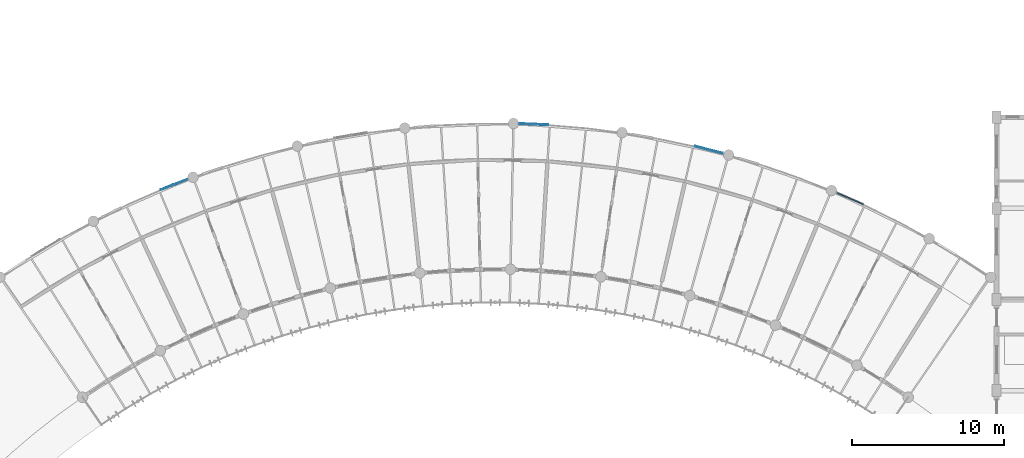
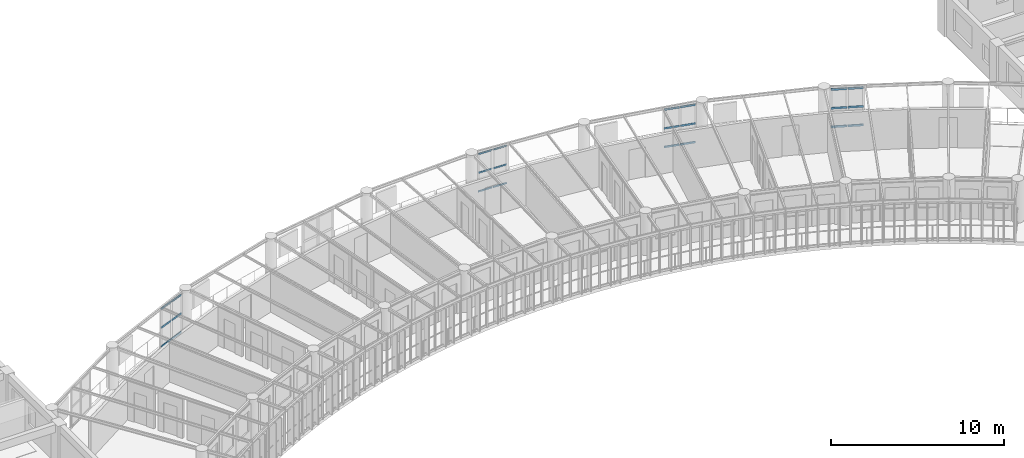
# One storey, part 73 of 137: 24 members, 4 elements without a shape of their own.
"""IFC4 building model written with IfcOpenShell, lengths in metres."""

from ifc_helpers import new_model, si_unit, direction, frame, origin, origin_2d, place, context, subcontext, project, spatial, rectangle, extrude, material, layer, layer_set, material_profile, profile_set, type_object, element, aggregate, save


model = new_model("IFC4")

# Units and contexts
model_context = context("Model", 3, precision=1e-05, world=origin(), true_north=direction((0.0, 1.0)))
body_context = subcontext(model_context, "Body", "Model", "MODEL_VIEW")
ifc_project = project(units=[si_unit("LENGTHUNIT", "METRE"), si_unit("AREAUNIT", "SQUARE_METRE"), si_unit("VOLUMEUNIT", "CUBIC_METRE"), si_unit("PLANEANGLEUNIT", "RADIAN"), si_unit("MASSUNIT", "GRAM", prefix="KILO"), si_unit("POWERUNIT", "WATT"), si_unit("THERMODYNAMICTEMPERATUREUNIT", "KELVIN")], contexts=[model_context])

# Site, building, storey
site_placement = place(None, origin())
site = spatial("IfcSite", under=ifc_project, at=site_placement, CompositionType="ELEMENT")
building_placement = place(site_placement, origin())
building = spatial("IfcBuilding", under=site, at=building_placement, Name="Ruvembo Vaulted Housing Court", CompositionType="ELEMENT")
storey_placement = place(building_placement, frame((0.0, 0.0, 4.5)))
storey = spatial("IfcBuildingStorey", under=building, at=storey_placement, Name="L01", CompositionType="ELEMENT", Elevation=4.5)

# Curtain wall, members
ifc_material_1 = material(Name="Anodised Aluminium and Solar-Control Glass", Category="aluminium")
ifc_layer_1 = layer(ifc_material_1, 0.1201171875, Name="Anodised Aluminium and Solar-Control Glass")
ifc_layer_set_1 = layer_set([ifc_layer_1], Name="Anodised Aluminium and Solar-Control Glass")
curtain_wall_type_1 = type_object("IfcCurtainWallType", Name="CW-SCOOP-GAL", PredefinedType="NOTDEFINED", material=ifc_layer_set_1)
curtain_wall_1_placement = place(storey_placement, origin())
curtain_wall_1 = element("IfcCurtainWall", 1, at=curtain_wall_1_placement, inside=storey, type_object=curtain_wall_type_1, Name="L01 Curtain Wall CW-L01-0060", PredefinedType="NOTDEFINED")
ifc_material_2 = material(Name="Anodised Aluminium 6063-T6", Category="aluminium")
ifc_material_profile_1 = material_profile(ifc_material_2, rectangle(XDim=0.06005859375, YDim=0.1201171875, at=origin_2d()), Name="ALU 60x120")
ifc_profile_set_1 = profile_set([ifc_material_profile_1], Name="Anodised Aluminium 6063-T6")
member_type_1 = type_object("IfcMemberType", Name="CW-TRANSOM-65x120", PredefinedType="USERDEFINED", material=ifc_profile_set_1)
member_1_placement = place(storey_placement, frame((94.97216796875, 103.218994140625, 0.030029296875), z_axis=(0.930948034187, 0.365151691277, 0.0), x_axis=(-0.365151691277, 0.930948034187, 0.0)))
member_1 = element("IfcMember", 2, at=member_1_placement, type_object=member_type_1, Name="CW6 transom 1.1", ObjectType="TRANSOM", PredefinedType="USERDEFINED", context=body_context, shape_type="SweptSolid", body=[
    extrude(rectangle(XDim=0.06005859375, YDim=0.1201171875, at=origin_2d()), origin(), (0.0, 0.0, 1.0), 0.9052734375),
])
member_2_placement = place(storey_placement, frame((94.97216796875, 103.218994140625, 1.34912109375), z_axis=(0.930948034187, 0.365151691277, 0.0), x_axis=(-0.365151691277, 0.930948034187, 0.0)))
member_2 = element("IfcMember", 3, at=member_2_placement, type_object=member_type_1, Name="CW6 transom 1.2", ObjectType="TRANSOM", PredefinedType="USERDEFINED", context=body_context, shape_type="SweptSolid", body=[
    extrude(rectangle(XDim=0.06005859375, YDim=0.1201171875, at=origin_2d()), origin(), (0.0, 0.0, 1.0), 0.9052734375),
])
member_3_placement = place(storey_placement, frame((94.97216796875, 103.218994140625, 2.66796875), z_axis=(0.930948034187, 0.365151691277, 0.0), x_axis=(-0.365151691277, 0.930948034187, 0.0)))
member_3 = element("IfcMember", 4, at=member_3_placement, type_object=member_type_1, Name="CW6 transom 1.3", ObjectType="TRANSOM", PredefinedType="USERDEFINED", context=body_context, shape_type="SweptSolid", body=[
    extrude(rectangle(XDim=0.06005859375, YDim=0.1201171875, at=origin_2d()), origin(), (0.0, 0.0, 1.0), 0.9052734375),
])
member_4_placement = place(storey_placement, frame((95.870849609375, 103.571533203125, 0.030029296875), z_axis=(0.930948034187, 0.365151691277, 0.0), x_axis=(-0.365151691277, 0.930948034187, 0.0)))
member_4 = element("IfcMember", 5, at=member_4_placement, type_object=member_type_1, Name="CW6 transom 2.1", ObjectType="TRANSOM", PredefinedType="USERDEFINED", context=body_context, shape_type="SweptSolid", body=[
    extrude(rectangle(XDim=0.06005859375, YDim=0.1201171875, at=origin_2d()), origin(), (0.0, 0.0, 1.0), 0.9052734375),
])
member_5_placement = place(storey_placement, frame((95.870849609375, 103.571533203125, 1.34912109375), z_axis=(0.930948034187, 0.365151691277, 0.0), x_axis=(-0.365151691277, 0.930948034187, 0.0)))
member_5 = element("IfcMember", 6, at=member_5_placement, type_object=member_type_1, Name="CW6 transom 2.2", ObjectType="TRANSOM", PredefinedType="USERDEFINED", context=body_context, shape_type="SweptSolid", body=[
    extrude(rectangle(XDim=0.06005859375, YDim=0.1201171875, at=origin_2d()), origin(), (0.0, 0.0, 1.0), 0.9052734375),
])
member_6_placement = place(storey_placement, frame((95.870849609375, 103.571533203125, 2.66796875), z_axis=(0.930948034187, 0.365151691277, 0.0), x_axis=(-0.365151691277, 0.930948034187, 0.0)))
member_6 = element("IfcMember", 7, at=member_6_placement, type_object=member_type_1, Name="CW6 transom 2.3", ObjectType="TRANSOM", PredefinedType="USERDEFINED", context=body_context, shape_type="SweptSolid", body=[
    extrude(rectangle(XDim=0.06005859375, YDim=0.1201171875, at=origin_2d()), origin(), (0.0, 0.0, 1.0), 0.9052734375),
])
aggregate(curtain_wall_1, [member_1, member_2, member_3, member_4, member_5, member_6])

ifc_layer_2 = layer(ifc_material_1, 0.139892578125, Name="Anodised Aluminium and Solar-Control Glass")
ifc_layer_set_2 = layer_set([ifc_layer_2], Name="Anodised Aluminium and Solar-Control Glass")
curtain_wall_type_2 = type_object("IfcCurtainWallType", Name="CW-SCOOP-PAN", PredefinedType="NOTDEFINED", material=ifc_layer_set_2)
curtain_wall_2_placement = place(storey_placement, origin())
curtain_wall_2 = element("IfcCurtainWall", 8, at=curtain_wall_2_placement, inside=storey, type_object=curtain_wall_type_2, Name="L01 Curtain Wall CW-L01-0063", PredefinedType="NOTDEFINED")
member_7_placement = place(storey_placement, frame((130.138427734375, 106.079345703125, 0.030029296875), z_axis=(0.969191258383, -0.246309367817, 0.0), x_axis=(0.246309367817, 0.969191258383, 0.0)))
member_7 = element("IfcMember", 9, at=member_7_placement, type_object=member_type_1, Name="CW10 transom 1.1", ObjectType="TRANSOM", PredefinedType="USERDEFINED", context=body_context, shape_type="SweptSolid", body=[
    extrude(rectangle(XDim=0.06005859375, YDim=0.1201171875, at=origin_2d()), origin(), (0.0, 0.0, 1.0), 0.912841796875),
])
member_8_placement = place(storey_placement, frame((130.138427734375, 106.079345703125, 1.34912109375), z_axis=(0.969191258383, -0.246309367817, 0.0), x_axis=(0.246309367817, 0.969191258383, 0.0)))
member_8 = element("IfcMember", 10, at=member_8_placement, type_object=member_type_1, Name="CW10 transom 1.2", ObjectType="TRANSOM", PredefinedType="USERDEFINED", context=body_context, shape_type="SweptSolid", body=[
    extrude(rectangle(XDim=0.06005859375, YDim=0.1201171875, at=origin_2d()), origin(), (0.0, 0.0, 1.0), 0.912841796875),
])
member_9_placement = place(storey_placement, frame((130.138427734375, 106.079345703125, 2.66796875), z_axis=(0.969191258383, -0.246309367817, 0.0), x_axis=(0.246309367817, 0.969191258383, 0.0)))
member_9 = element("IfcMember", 11, at=member_9_placement, type_object=member_type_1, Name="CW10 transom 1.3", ObjectType="TRANSOM", PredefinedType="USERDEFINED", context=body_context, shape_type="SweptSolid", body=[
    extrude(rectangle(XDim=0.06005859375, YDim=0.1201171875, at=origin_2d()), origin(), (0.0, 0.0, 1.0), 0.912841796875),
])
member_10_placement = place(storey_placement, frame((131.076416015625, 105.8408203125, 0.030029296875), z_axis=(0.969191258383, -0.246309367817, 0.0), x_axis=(0.246309367817, 0.969191258383, 0.0)))
member_10 = element("IfcMember", 12, at=member_10_placement, type_object=member_type_1, Name="CW10 transom 2.1", ObjectType="TRANSOM", PredefinedType="USERDEFINED", context=body_context, shape_type="SweptSolid", body=[
    extrude(rectangle(XDim=0.06005859375, YDim=0.1201171875, at=origin_2d()), origin(), (0.0, 0.0, 1.0), 0.912841796875),
])
member_11_placement = place(storey_placement, frame((131.076416015625, 105.8408203125, 1.34912109375), z_axis=(0.969191258383, -0.246309367817, 0.0), x_axis=(0.246309367817, 0.969191258383, 0.0)))
member_11 = element("IfcMember", 13, at=member_11_placement, type_object=member_type_1, Name="CW10 transom 2.2", ObjectType="TRANSOM", PredefinedType="USERDEFINED", context=body_context, shape_type="SweptSolid", body=[
    extrude(rectangle(XDim=0.06005859375, YDim=0.1201171875, at=origin_2d()), origin(), (0.0, 0.0, 1.0), 0.912841796875),
])
member_12_placement = place(storey_placement, frame((131.076416015625, 105.8408203125, 2.66796875), z_axis=(0.969191258383, -0.246309367817, 0.0), x_axis=(0.246309367817, 0.969191258383, 0.0)))
member_12 = element("IfcMember", 14, at=member_12_placement, type_object=member_type_1, Name="CW10 transom 2.3", ObjectType="TRANSOM", PredefinedType="USERDEFINED", context=body_context, shape_type="SweptSolid", body=[
    extrude(rectangle(XDim=0.06005859375, YDim=0.1201171875, at=origin_2d()), origin(), (0.0, 0.0, 1.0), 0.912841796875),
])
aggregate(curtain_wall_2, [member_7, member_8, member_9, member_10, member_11, member_12])

curtain_wall_3_placement = place(storey_placement, origin())
curtain_wall_3 = element("IfcCurtainWall", 15, at=curtain_wall_3_placement, inside=storey, type_object=curtain_wall_type_1, Name="L01 Curtain Wall CW-L01-0062", PredefinedType="NOTDEFINED")
ifc_material_profile_2 = material_profile(ifc_material_2, rectangle(XDim=0.06005859375, YDim=0.10009765625, at=origin_2d()), Name="ALU 60x100")
ifc_profile_set_2 = profile_set([ifc_material_profile_2], Name="Anodised Aluminium 6063-T6")
member_type_2 = type_object("IfcMemberType", Name="CW-TRN-60x100", PredefinedType="USERDEFINED", material=ifc_profile_set_2)
member_13_placement = place(storey_placement, frame((118.610107421875, 107.5703125, 0.030029296875), z_axis=(0.999145284065, -0.041336440713, 0.0), x_axis=(0.041336440713, 0.999145284065, 0.0)))
member_13 = element("IfcMember", 16, at=member_13_placement, type_object=member_type_2, Name="CW6 transom 1.1", ObjectType="TRANSOM", PredefinedType="USERDEFINED", context=body_context, shape_type="SweptSolid", body=[
    extrude(rectangle(XDim=0.06005859375, YDim=0.10009765625, at=origin_2d()), origin(), (0.0, 0.0, 1.0), 0.897705078125),
])
member_14_placement = place(storey_placement, frame((118.610107421875, 107.5703125, 1.34912109375), z_axis=(0.999145284065, -0.041336440713, 0.0), x_axis=(0.041336440713, 0.999145284065, 0.0)))
member_14 = element("IfcMember", 17, at=member_14_placement, type_object=member_type_2, Name="CW6 transom 1.2", ObjectType="TRANSOM", PredefinedType="USERDEFINED", context=body_context, shape_type="SweptSolid", body=[
    extrude(rectangle(XDim=0.06005859375, YDim=0.10009765625, at=origin_2d()), origin(), (0.0, 0.0, 1.0), 0.897705078125),
])
member_15_placement = place(storey_placement, frame((118.610107421875, 107.5703125, 2.66796875), z_axis=(0.999145284065, -0.041336440713, 0.0), x_axis=(0.041336440713, 0.999145284065, 0.0)))
member_15 = element("IfcMember", 18, at=member_15_placement, type_object=member_type_2, Name="CW6 transom 1.3", ObjectType="TRANSOM", PredefinedType="USERDEFINED", context=body_context, shape_type="SweptSolid", body=[
    extrude(rectangle(XDim=0.06005859375, YDim=0.10009765625, at=origin_2d()), origin(), (0.0, 0.0, 1.0), 0.897705078125),
])
member_16_placement = place(storey_placement, frame((119.572021484375, 107.530517578125, 0.030029296875), z_axis=(0.999134486069, -0.04159661942, 0.0), x_axis=(0.04159661942, 0.999134486069, 0.0)))
member_16 = element("IfcMember", 19, at=member_16_placement, type_object=member_type_2, Name="CW6 transom 2.1", ObjectType="TRANSOM", PredefinedType="USERDEFINED", context=body_context, shape_type="SweptSolid", body=[
    extrude(rectangle(XDim=0.06005859375, YDim=0.10009765625, at=origin_2d()), origin(), (0.0, 0.0, 1.0), 0.89794921875),
])
member_17_placement = place(storey_placement, frame((119.572021484375, 107.530517578125, 1.34912109375), z_axis=(0.999134486069, -0.04159661942, 0.0), x_axis=(0.04159661942, 0.999134486069, 0.0)))
member_17 = element("IfcMember", 20, at=member_17_placement, type_object=member_type_2, Name="CW6 transom 2.2", ObjectType="TRANSOM", PredefinedType="USERDEFINED", context=body_context, shape_type="SweptSolid", body=[
    extrude(rectangle(XDim=0.06005859375, YDim=0.10009765625, at=origin_2d()), origin(), (0.0, 0.0, 1.0), 0.89794921875),
])
member_18_placement = place(storey_placement, frame((119.572021484375, 107.530517578125, 2.66796875), z_axis=(0.999134486069, -0.04159661942, 0.0), x_axis=(0.04159661942, 0.999134486069, 0.0)))
member_18 = element("IfcMember", 21, at=member_18_placement, type_object=member_type_2, Name="CW6 transom 2.3", ObjectType="TRANSOM", PredefinedType="USERDEFINED", context=body_context, shape_type="SweptSolid", body=[
    extrude(rectangle(XDim=0.06005859375, YDim=0.10009765625, at=origin_2d()), origin(), (0.0, 0.0, 1.0), 0.89794921875),
])
aggregate(curtain_wall_3, [member_13, member_14, member_15, member_16, member_17, member_18])

curtain_wall_4_placement = place(storey_placement, origin())
curtain_wall_4 = element("IfcCurtainWall", 22, at=curtain_wall_4_placement, inside=storey, type_object=curtain_wall_type_2, Name="L01 Curtain Wall CW-L01-0064", PredefinedType="NOTDEFINED")
ifc_material_profile_3 = material_profile(ifc_material_2, rectangle(XDim=0.06494140625, YDim=0.135009765625, at=origin_2d()), Name="ALU 65x135")
ifc_profile_set_3 = profile_set([ifc_material_profile_3], Name="Anodised Aluminium 6063-T6")
member_type_3 = type_object("IfcMemberType", Name="CW-TRN-65x135", PredefinedType="USERDEFINED", material=ifc_profile_set_3)
member_19_placement = place(storey_placement, frame((139.505615234375, 103.013671875, 0.032470703125), z_axis=(0.915008581503, -0.403434376047, 0.0), x_axis=(0.403434376047, 0.915008581503, 0.0)))
member_19 = element("IfcMember", 23, at=member_19_placement, type_object=member_type_3, Name="CW10 transom 1.1", ObjectType="TRANSOM", PredefinedType="USERDEFINED", context=body_context, shape_type="SweptSolid", body=[
    extrude(rectangle(XDim=0.06494140625, YDim=0.135009765625, at=origin_2d()), origin(), (0.0, 0.0, 1.0), 0.9052734375),
])
member_20_placement = place(storey_placement, frame((139.505615234375, 103.013671875, 1.34912109375), z_axis=(0.915008581503, -0.403434376047, 0.0), x_axis=(0.403434376047, 0.915008581503, 0.0)))
member_20 = element("IfcMember", 24, at=member_20_placement, type_object=member_type_3, Name="CW10 transom 1.2", ObjectType="TRANSOM", PredefinedType="USERDEFINED", context=body_context, shape_type="SweptSolid", body=[
    extrude(rectangle(XDim=0.06494140625, YDim=0.135009765625, at=origin_2d()), origin(), (0.0, 0.0, 1.0), 0.9052734375),
])
member_21_placement = place(storey_placement, frame((139.505615234375, 103.013671875, 2.66552734375), z_axis=(0.915008581503, -0.403434376047, 0.0), x_axis=(0.403434376047, 0.915008581503, 0.0)))
member_21 = element("IfcMember", 25, at=member_21_placement, type_object=member_type_3, Name="CW10 transom 1.3", ObjectType="TRANSOM", PredefinedType="USERDEFINED", context=body_context, shape_type="SweptSolid", body=[
    extrude(rectangle(XDim=0.06494140625, YDim=0.135009765625, at=origin_2d()), origin(), (0.0, 0.0, 1.0), 0.9052734375),
])
member_22_placement = place(storey_placement, frame((140.388916015625, 102.624267578125, 0.032470703125), z_axis=(0.91515194563, -0.403109062674, 0.0), x_axis=(0.403109062674, 0.91515194563, 0.0)))
member_22 = element("IfcMember", 26, at=member_22_placement, type_object=member_type_3, Name="CW10 transom 2.1", ObjectType="TRANSOM", PredefinedType="USERDEFINED", context=body_context, shape_type="SweptSolid", body=[
    extrude(rectangle(XDim=0.06494140625, YDim=0.135009765625, at=origin_2d()), origin(), (0.0, 0.0, 1.0), 0.905517578125),
])
member_23_placement = place(storey_placement, frame((140.388916015625, 102.624267578125, 1.34912109375), z_axis=(0.91515194563, -0.403109062674, 0.0), x_axis=(0.403109062674, 0.91515194563, 0.0)))
member_23 = element("IfcMember", 27, at=member_23_placement, type_object=member_type_3, Name="CW10 transom 2.2", ObjectType="TRANSOM", PredefinedType="USERDEFINED", context=body_context, shape_type="SweptSolid", body=[
    extrude(rectangle(XDim=0.06494140625, YDim=0.135009765625, at=origin_2d()), origin(), (0.0, 0.0, 1.0), 0.905517578125),
])
member_24_placement = place(storey_placement, frame((140.388916015625, 102.624267578125, 2.66552734375), z_axis=(0.91515194563, -0.403109062674, 0.0), x_axis=(0.403109062674, 0.91515194563, 0.0)))
member_24 = element("IfcMember", 28, at=member_24_placement, type_object=member_type_3, Name="CW10 transom 2.3", ObjectType="TRANSOM", PredefinedType="USERDEFINED", context=body_context, shape_type="SweptSolid", body=[
    extrude(rectangle(XDim=0.06494140625, YDim=0.135009765625, at=origin_2d()), origin(), (0.0, 0.0, 1.0), 0.905517578125),
])
aggregate(curtain_wall_4, [member_19, member_20, member_21, member_22, member_23, member_24])

save(model, "model.ifc")
